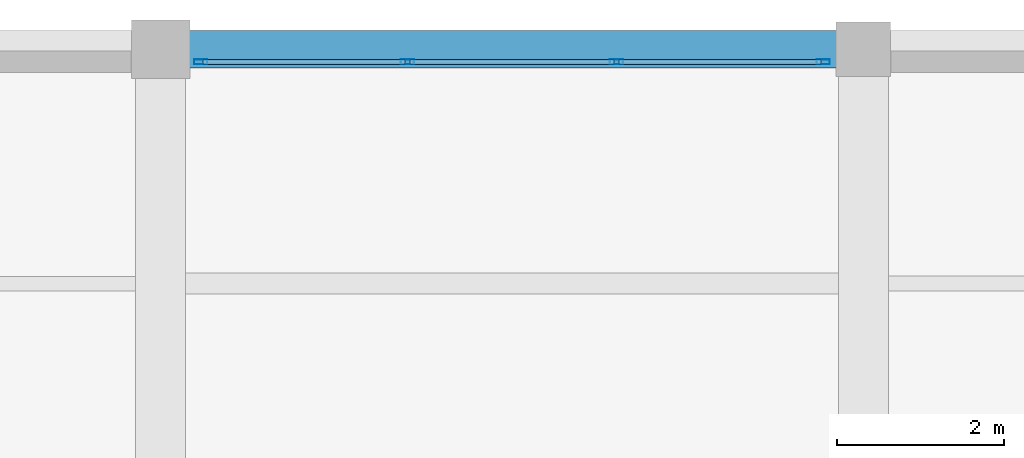
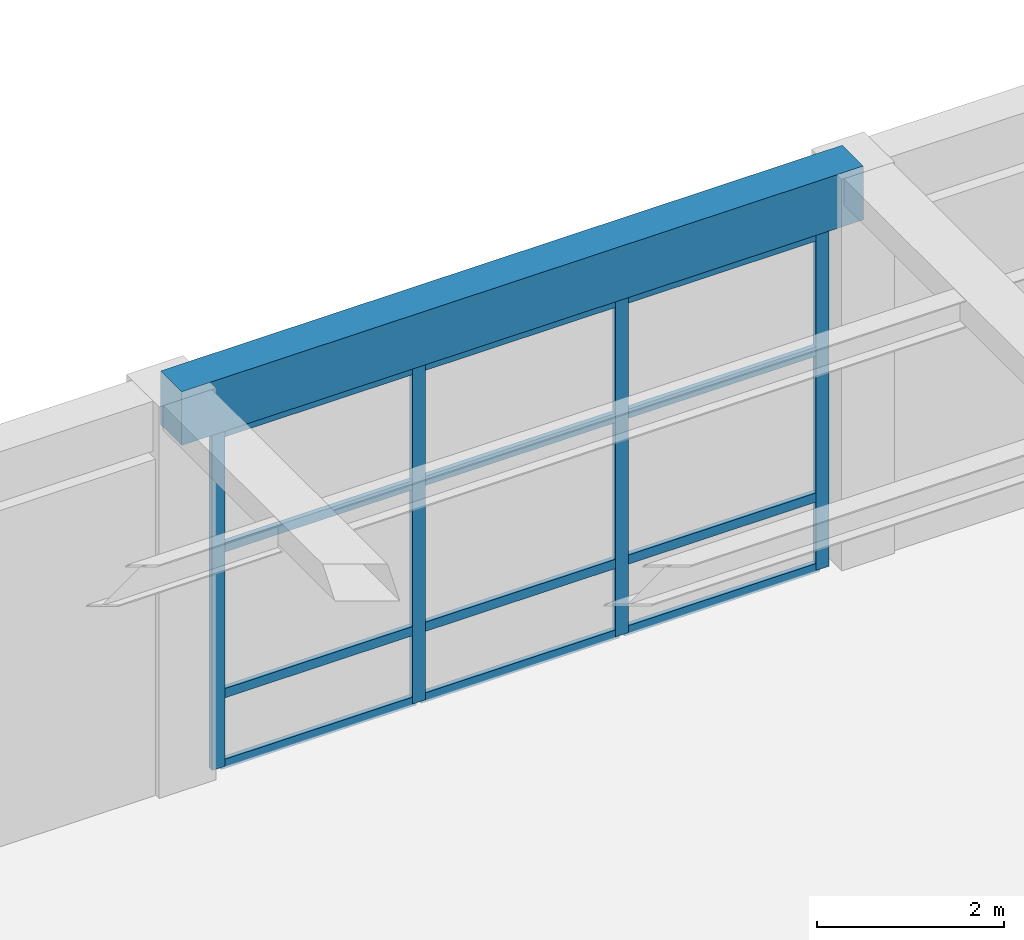
# One storey, part 37 of 95: 16 members, 1 beam, 1 element without a shape of its own.
"""IFC4 building model written with IfcOpenShell, lengths in metres."""

from ifc_helpers import new_model, si_unit, direction, frame, origin, origin_2d, place, context, subcontext, project, spatial, rectangle, hollow_rectangle, extrude, material, material_profile, profile_set, type_object, element, aggregate, save


model = new_model("IFC4")

# Units and contexts
model_context = context("Model", 3, precision=1e-05, world=origin(), true_north=direction((0.0, 1.0)))
body_context = subcontext(model_context, "Body", "Model", "MODEL_VIEW")
ifc_project = project(units=[si_unit("LENGTHUNIT", "METRE"), si_unit("AREAUNIT", "SQUARE_METRE"), si_unit("VOLUMEUNIT", "CUBIC_METRE"), si_unit("PLANEANGLEUNIT", "RADIAN"), si_unit("MASSUNIT", "GRAM", prefix="KILO")], contexts=[model_context])

# Site, building, storey
site_placement = place(None, origin())
site = spatial("IfcSite", under=ifc_project, at=site_placement, CompositionType="ELEMENT")
building_placement = place(site_placement, origin())
building = spatial("IfcBuilding", under=site, at=building_placement, Name="Almacenes y Pasaje Nevantli", CompositionType="ELEMENT")
storey_placement = place(building_placement, frame((0.0, 0.0, 11.39990234375)))
storey = spatial("IfcBuildingStorey", under=building, at=storey_placement, Name="L03", CompositionType="ELEMENT", Elevation=11.39990234375)

# Beam
ifc_material_1 = material(Name="Concrete C35/45", Category="concrete")
ifc_material_profile_1 = material_profile(ifc_material_1, rectangle(XDim=0.449951171875, YDim=0.699951171875, at=origin_2d()), Name="RC-BM-450x700")
ifc_profile_set_1 = profile_set([ifc_material_profile_1], Name="Concrete C35/45")
beam_type = type_object("IfcBeamType", Name="BM-RC-450x700", PredefinedType="SPANDREL", material=ifc_profile_set_1)
beam_placement = place(storey_placement, frame((16.800048828125, 117.60009765625, 4.75), z_axis=(1.0, 0.0, 0.0), x_axis=(0.0, 1.0, 0.0)))
element("IfcBeam", 1, at=beam_placement, inside=storey, type_object=beam_type, Name="L03 East-West Reinforced Concrete Beam #2462", PredefinedType="SPANDREL", context=body_context, shape_type="SweptSolid", body=[
    extrude(rectangle(XDim=0.449951171875, YDim=0.699951171875, at=origin_2d()), origin(), (0.0, 0.0, 1.0), 8.39990234375),
])

# Curtain wall, members
ifc_material_2 = material(Name="Thermally Broken Aluminium and Low-E Glass", Category="aluminium")
curtain_wall_type = type_object("IfcCurtainWallType", Name="CW-STF-BLVD", PredefinedType="USERDEFINED", material=ifc_material_2)
curtain_wall_placement = place(storey_placement, origin())
curtain_wall = element("IfcCurtainWall", 2, at=curtain_wall_placement, inside=storey, type_object=curtain_wall_type, Name="L03 North Boulevard Retail Curtain Wall Bay 3", ObjectType="STOREFRONT GLAZING", PredefinedType="USERDEFINED")
ifc_material_3 = material(Name="Thermally Broken Anodized Aluminium", Category="aluminium")
ifc_material_profile_2 = material_profile(ifc_material_3, hollow_rectangle(XDim=0.06005859375, YDim=0.159912109375, WallThickness=0.00390625, at=origin_2d()), Name="ALU-MUL-60x160")
ifc_profile_set_2 = profile_set([ifc_material_profile_2], Name="Thermally Broken Anodized Aluminium")
member_type_1 = type_object("IfcMemberType", Name="CW-MUL-180", PredefinedType="MULLION", material=ifc_profile_set_2)
member_1_placement = place(storey_placement, frame((17.280029296875, 117.449951171875, 0.0), z_axis=(0.0, 0.0, 1.0), x_axis=(0.0, 1.0, 0.0)))
member_1 = element("IfcMember", 3, at=member_1_placement, type_object=member_type_1, Name="CW-L03-035 mullion 1", PredefinedType="MULLION", context=body_context, shape_type="SweptSolid", body=[
    extrude(hollow_rectangle(XDim=0.06005859375, YDim=0.159912109375, WallThickness=0.00390625, at=origin_2d()), origin(), (0.0, 0.0, 1.0), 4.380126953125),
])
member_2_placement = place(storey_placement, frame((19.75, 117.449951171875, 0.0), z_axis=(0.0, 0.0, 1.0), x_axis=(0.0, 1.0, 0.0)))
member_2 = element("IfcMember", 4, at=member_2_placement, type_object=member_type_1, Name="CW-L03-035 mullion 2", PredefinedType="MULLION", context=body_context, shape_type="SweptSolid", body=[
    extrude(hollow_rectangle(XDim=0.06005859375, YDim=0.159912109375, WallThickness=0.00390625, at=origin_2d()), origin(), (0.0, 0.0, 1.0), 4.380126953125),
])
member_3_placement = place(storey_placement, frame((22.25, 117.449951171875, 0.0), z_axis=(0.0, 0.0, 1.0), x_axis=(0.0, 1.0, 0.0)))
member_3 = element("IfcMember", 5, at=member_3_placement, type_object=member_type_1, Name="CW-L03-035 mullion 3", PredefinedType="MULLION", context=body_context, shape_type="SweptSolid", body=[
    extrude(hollow_rectangle(XDim=0.06005859375, YDim=0.159912109375, WallThickness=0.00390625, at=origin_2d()), origin(), (0.0, 0.0, 1.0), 4.380126953125),
])
member_4_placement = place(storey_placement, frame((24.719970703125, 117.449951171875, 0.0), z_axis=(0.0, 0.0, 1.0), x_axis=(0.0, 1.0, 0.0)))
member_4 = element("IfcMember", 6, at=member_4_placement, type_object=member_type_1, Name="CW-L03-035 mullion 4", PredefinedType="MULLION", context=body_context, shape_type="SweptSolid", body=[
    extrude(hollow_rectangle(XDim=0.06005859375, YDim=0.159912109375, WallThickness=0.00390625, at=origin_2d()), origin(), (0.0, 0.0, 1.0), 4.380126953125),
])
ifc_material_4 = material(Name="Thermally Broken Anodized Aluminium", Category="aluminium")
ifc_material_profile_3 = material_profile(ifc_material_4, hollow_rectangle(XDim=0.06005859375, YDim=0.1201171875, WallThickness=0.00341796875, at=origin_2d()), Name="ALU-TRN-60x120")
ifc_profile_set_3 = profile_set([ifc_material_profile_3], Name="Thermally Broken Anodized Aluminium")
member_type_2 = type_object("IfcMemberType", Name="CW-TRN-130", PredefinedType="USERDEFINED", material=ifc_profile_set_3)
member_5_placement = place(storey_placement, frame((17.31005859375, 117.449951171875, 0.030029296875), z_axis=(1.0, 0.0, 0.0), x_axis=(0.0, 1.0, 0.0)))
member_5 = element("IfcMember", 7, at=member_5_placement, type_object=member_type_2, Name="CW-L03-035 transom 1.1", ObjectType="TRANSOM", PredefinedType="USERDEFINED", context=body_context, shape_type="SweptSolid", body=[
    extrude(hollow_rectangle(XDim=0.06005859375, YDim=0.1201171875, WallThickness=0.00341796875, at=origin_2d()), origin(), (0.0, 0.0, 1.0), 2.409912109375),
])
member_6_placement = place(storey_placement, frame((17.31005859375, 117.449951171875, 0.9501953125), z_axis=(1.0, 0.0, 0.0), x_axis=(0.0, 1.0, 0.0)))
member_6 = element("IfcMember", 8, at=member_6_placement, type_object=member_type_2, Name="CW-L03-035 transom 1.2", ObjectType="TRANSOM", PredefinedType="USERDEFINED", context=body_context, shape_type="SweptSolid", body=[
    extrude(hollow_rectangle(XDim=0.06005859375, YDim=0.1201171875, WallThickness=0.00341796875, at=origin_2d()), origin(), (0.0, 0.0, 1.0), 2.409912109375),
])
member_7_placement = place(storey_placement, frame((17.31005859375, 117.449951171875, 2.85009765625), z_axis=(1.0, 0.0, 0.0), x_axis=(0.0, 1.0, 0.0)))
member_7 = element("IfcMember", 9, at=member_7_placement, type_object=member_type_2, Name="CW-L03-035 transom 1.3", ObjectType="TRANSOM", PredefinedType="USERDEFINED", context=body_context, shape_type="SweptSolid", body=[
    extrude(hollow_rectangle(XDim=0.06005859375, YDim=0.1201171875, WallThickness=0.00341796875, at=origin_2d()), origin(), (0.0, 0.0, 1.0), 2.409912109375),
])
member_8_placement = place(storey_placement, frame((17.31005859375, 117.449951171875, 4.35009765625), z_axis=(1.0, 0.0, 0.0), x_axis=(0.0, 1.0, 0.0)))
member_8 = element("IfcMember", 10, at=member_8_placement, type_object=member_type_2, Name="CW-L03-035 transom 1.4", ObjectType="TRANSOM", PredefinedType="USERDEFINED", context=body_context, shape_type="SweptSolid", body=[
    extrude(hollow_rectangle(XDim=0.06005859375, YDim=0.1201171875, WallThickness=0.00341796875, at=origin_2d()), origin(), (0.0, 0.0, 1.0), 2.409912109375),
])
member_9_placement = place(storey_placement, frame((19.780029296875, 117.449951171875, 0.030029296875), z_axis=(1.0, 0.0, 0.0), x_axis=(0.0, 1.0, 0.0)))
member_9 = element("IfcMember", 11, at=member_9_placement, type_object=member_type_2, Name="CW-L03-035 transom 2.1", ObjectType="TRANSOM", PredefinedType="USERDEFINED", context=body_context, shape_type="SweptSolid", body=[
    extrude(hollow_rectangle(XDim=0.06005859375, YDim=0.1201171875, WallThickness=0.00341796875, at=origin_2d()), origin(), (0.0, 0.0, 1.0), 2.43994140625),
])
member_10_placement = place(storey_placement, frame((19.780029296875, 117.449951171875, 0.9501953125), z_axis=(1.0, 0.0, 0.0), x_axis=(0.0, 1.0, 0.0)))
member_10 = element("IfcMember", 12, at=member_10_placement, type_object=member_type_2, Name="CW-L03-035 transom 2.2", ObjectType="TRANSOM", PredefinedType="USERDEFINED", context=body_context, shape_type="SweptSolid", body=[
    extrude(hollow_rectangle(XDim=0.06005859375, YDim=0.1201171875, WallThickness=0.00341796875, at=origin_2d()), origin(), (0.0, 0.0, 1.0), 2.43994140625),
])
member_11_placement = place(storey_placement, frame((19.780029296875, 117.449951171875, 2.85009765625), z_axis=(1.0, 0.0, 0.0), x_axis=(0.0, 1.0, 0.0)))
member_11 = element("IfcMember", 13, at=member_11_placement, type_object=member_type_2, Name="CW-L03-035 transom 2.3", ObjectType="TRANSOM", PredefinedType="USERDEFINED", context=body_context, shape_type="SweptSolid", body=[
    extrude(hollow_rectangle(XDim=0.06005859375, YDim=0.1201171875, WallThickness=0.00341796875, at=origin_2d()), origin(), (0.0, 0.0, 1.0), 2.43994140625),
])
member_12_placement = place(storey_placement, frame((19.780029296875, 117.449951171875, 4.35009765625), z_axis=(1.0, 0.0, 0.0), x_axis=(0.0, 1.0, 0.0)))
member_12 = element("IfcMember", 14, at=member_12_placement, type_object=member_type_2, Name="CW-L03-035 transom 2.4", ObjectType="TRANSOM", PredefinedType="USERDEFINED", context=body_context, shape_type="SweptSolid", body=[
    extrude(hollow_rectangle(XDim=0.06005859375, YDim=0.1201171875, WallThickness=0.00341796875, at=origin_2d()), origin(), (0.0, 0.0, 1.0), 2.43994140625),
])
member_13_placement = place(storey_placement, frame((22.280029296875, 117.449951171875, 0.030029296875), z_axis=(1.0, 0.0, 0.0), x_axis=(0.0, 1.0, 0.0)))
member_13 = element("IfcMember", 15, at=member_13_placement, type_object=member_type_2, Name="CW-L03-035 transom 3.1", ObjectType="TRANSOM", PredefinedType="USERDEFINED", context=body_context, shape_type="SweptSolid", body=[
    extrude(hollow_rectangle(XDim=0.06005859375, YDim=0.1201171875, WallThickness=0.00341796875, at=origin_2d()), origin(), (0.0, 0.0, 1.0), 2.409912109375),
])
member_14_placement = place(storey_placement, frame((22.280029296875, 117.449951171875, 0.9501953125), z_axis=(1.0, 0.0, 0.0), x_axis=(0.0, 1.0, 0.0)))
member_14 = element("IfcMember", 16, at=member_14_placement, type_object=member_type_2, Name="CW-L03-035 transom 3.2", ObjectType="TRANSOM", PredefinedType="USERDEFINED", context=body_context, shape_type="SweptSolid", body=[
    extrude(hollow_rectangle(XDim=0.06005859375, YDim=0.1201171875, WallThickness=0.00341796875, at=origin_2d()), origin(), (0.0, 0.0, 1.0), 2.409912109375),
])
member_15_placement = place(storey_placement, frame((22.280029296875, 117.449951171875, 2.85009765625), z_axis=(1.0, 0.0, 0.0), x_axis=(0.0, 1.0, 0.0)))
member_15 = element("IfcMember", 17, at=member_15_placement, type_object=member_type_2, Name="CW-L03-035 transom 3.3", ObjectType="TRANSOM", PredefinedType="USERDEFINED", context=body_context, shape_type="SweptSolid", body=[
    extrude(hollow_rectangle(XDim=0.06005859375, YDim=0.1201171875, WallThickness=0.00341796875, at=origin_2d()), origin(), (0.0, 0.0, 1.0), 2.409912109375),
])
member_16_placement = place(storey_placement, frame((22.280029296875, 117.449951171875, 4.35009765625), z_axis=(1.0, 0.0, 0.0), x_axis=(0.0, 1.0, 0.0)))
member_16 = element("IfcMember", 18, at=member_16_placement, type_object=member_type_2, Name="CW-L03-035 transom 3.4", ObjectType="TRANSOM", PredefinedType="USERDEFINED", context=body_context, shape_type="SweptSolid", body=[
    extrude(hollow_rectangle(XDim=0.06005859375, YDim=0.1201171875, WallThickness=0.00341796875, at=origin_2d()), origin(), (0.0, 0.0, 1.0), 2.409912109375),
])
aggregate(curtain_wall, [member_1, member_2, member_3, member_4, member_5, member_6, member_7, member_8, member_9, member_10, member_11, member_12, member_13, member_14, member_15, member_16])

save(model, "model.ifc")
